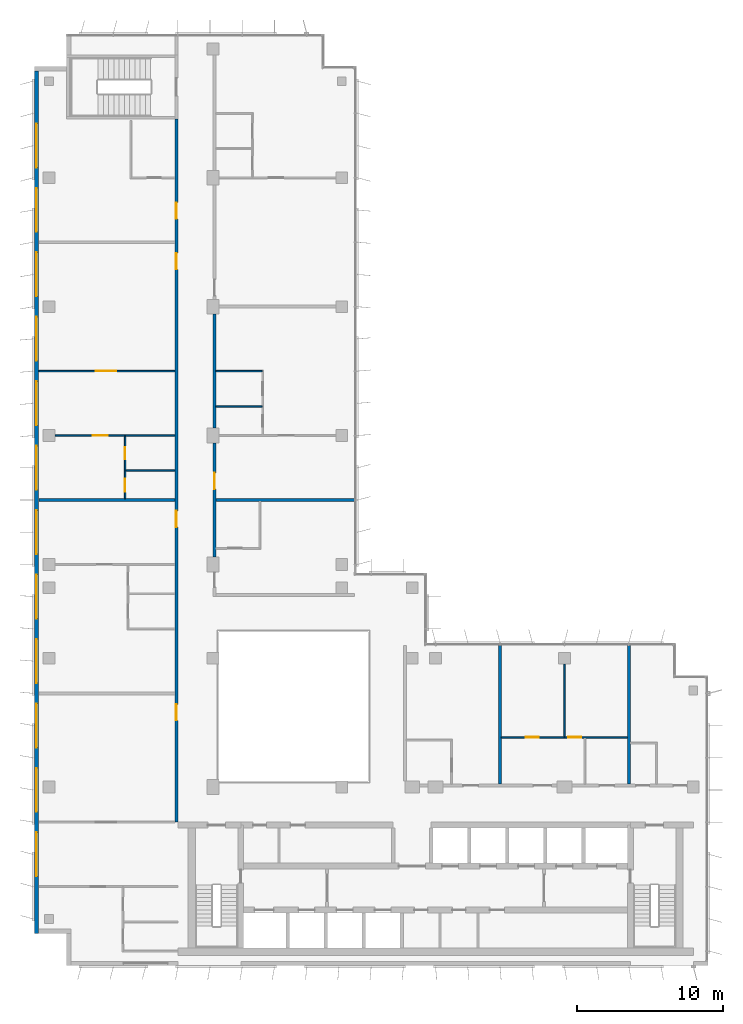
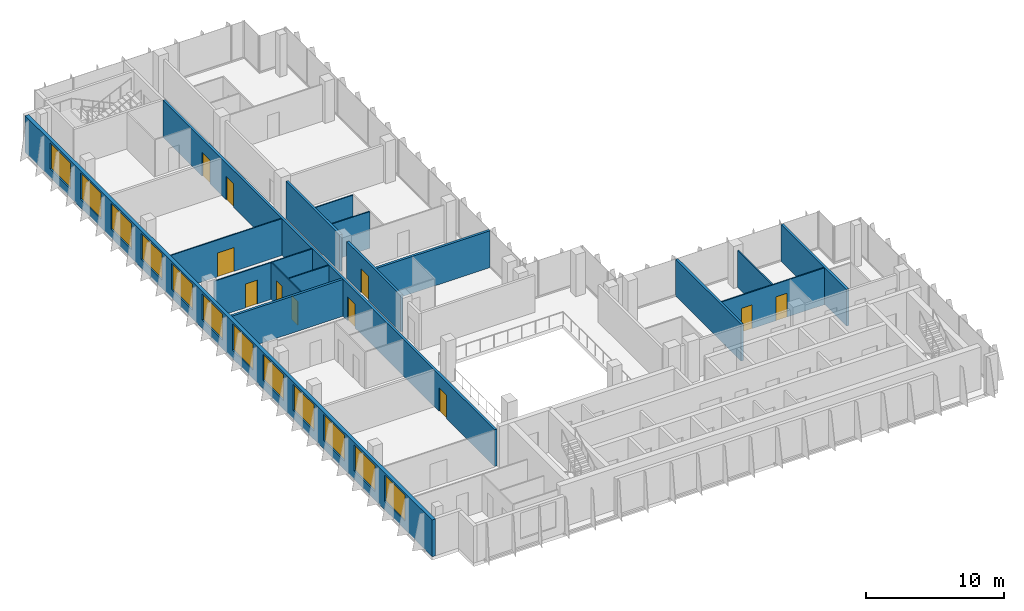
# One storey, part 11 of 15: 16 walls, 12 windows, 11 doors, 23 openings.
"""IFC4 building model written with IfcOpenShell, lengths in metres."""

from ifc_helpers import new_model, si_unit, direction, frame, frame_2d, origin, place, context, subcontext, project, spatial, rectangle, extrude, material, layer, layer_set, type_object, element, fill, save


model = new_model("IFC4")

# Units and contexts
model_context = context("Model", 3, precision=1e-05, world=origin(), true_north=direction((0.0, 1.0)))
body_context = subcontext(model_context, "Body", "Model", "MODEL_VIEW")
ifc_project = project(units=[si_unit("LENGTHUNIT", "METRE"), si_unit("AREAUNIT", "SQUARE_METRE"), si_unit("VOLUMEUNIT", "CUBIC_METRE"), si_unit("PLANEANGLEUNIT", "RADIAN"), si_unit("MASSUNIT", "GRAM", prefix="KILO")], contexts=[model_context])

# Site, building, storey
site_placement = place(None, origin())
site = spatial("IfcSite", under=ifc_project, at=site_placement, CompositionType="ELEMENT")
building_placement = place(site_placement, origin())
building = spatial("IfcBuilding", under=site, at=building_placement, Name="Kemantara Hotel Tower", CompositionType="ELEMENT")
storey_placement = place(building_placement, frame((0.0, 0.0, 305.5)))
storey = spatial("IfcBuildingStorey", under=building, at=storey_placement, Name="L77", CompositionType="ELEMENT", Elevation=305.5)

# Wall, openings, windows
ifc_material_1 = material(Name="Bronze anodised aluminium cladding on insulated steel stud wall", Category="steel")
ifc_layer_1 = layer(ifc_material_1, 0.300048828125)
ifc_layer_set_1 = layer_set([ifc_layer_1], Name="Bronze anodised aluminium cladding on insulated steel stud wall")
wall_type_1 = type_object("IfcWallType", Name="BRONZE METAL-CLAD EXTERNAL WALL 300", PredefinedType="STANDARD", material=ifc_layer_set_1)
wall_1_placement = place(storey_placement, frame((0.14990234375, 61.10009765625, 0.0), z_axis=(0.0, 0.0, 1.0), x_axis=(0.0, -1.0, 0.0)))
wall_1 = element("IfcWall", 1, at=wall_1_placement, inside=storey, type_object=wall_type_1, Name="EXTERNAL WALL L77 T4-R05", PredefinedType="STANDARD", context=body_context, shape_type="SweptSolid", body=[
    extrude(rectangle(XDim=58.900146484375, YDim=0.300048828125, at=frame_2d((29.4501953125, 0.0))), origin(), (0.0, 0.0, 1.0), 3.25),
])
opening_1_placement = place(wall_1_placement, frame((3.60009765625, 0.0, 0.75)))
opening_1 = element("IfcOpeningElement", 2, at=opening_1_placement, cuts=wall_1, Name="Opening W1", PredefinedType="OPENING", context=body_context, shape_type="SweptSolid", body=[
    extrude(rectangle(XDim=3.0, YDim=2.300048828125, at=frame_2d((1.5, 1.14990234375))), frame((0.0, 0.159912109375, 0.0), z_axis=(0.0, -1.0, 0.0), x_axis=(1.0, 0.0, 0.0)), (0.0, 0.0, 1.0), 0.320068359375),
])
opening_2_placement = place(wall_1_placement, frame((8.0, 0.0, 0.75)))
opening_2 = element("IfcOpeningElement", 3, at=opening_2_placement, cuts=wall_1, Name="Opening W1", PredefinedType="OPENING", context=body_context, shape_type="SweptSolid", body=[
    extrude(rectangle(XDim=3.0, YDim=2.300048828125, at=frame_2d((1.5, 1.14990234375))), frame((0.0, 0.159912109375, 0.0), z_axis=(0.0, -1.0, 0.0), x_axis=(1.0, 0.0, 0.0)), (0.0, 0.0, 1.0), 0.320068359375),
])
opening_3_placement = place(wall_1_placement, frame((12.39990234375, 0.0, 0.75)))
opening_3 = element("IfcOpeningElement", 4, at=opening_3_placement, cuts=wall_1, Name="Opening W1", PredefinedType="OPENING", context=body_context, shape_type="SweptSolid", body=[
    extrude(rectangle(XDim=3.0, YDim=2.300048828125, at=frame_2d((1.5, 1.14990234375))), frame((0.0, 0.159912109375, 0.0), z_axis=(0.0, -1.0, 0.0), x_axis=(1.0, 0.0, 0.0)), (0.0, 0.0, 1.0), 0.320068359375),
])
opening_4_placement = place(wall_1_placement, frame((16.800048828125, 0.0, 0.75)))
opening_4 = element("IfcOpeningElement", 5, at=opening_4_placement, cuts=wall_1, Name="Opening W1", PredefinedType="OPENING", context=body_context, shape_type="SweptSolid", body=[
    extrude(rectangle(XDim=3.0, YDim=2.300048828125, at=frame_2d((1.5, 1.14990234375))), frame((0.0, 0.159912109375, 0.0), z_axis=(0.0, -1.0, 0.0), x_axis=(1.0, 0.0, 0.0)), (0.0, 0.0, 1.0), 0.320068359375),
])
opening_5_placement = place(wall_1_placement, frame((21.199951171875, 0.0, 0.75)))
opening_5 = element("IfcOpeningElement", 6, at=opening_5_placement, cuts=wall_1, Name="Opening W1", PredefinedType="OPENING", context=body_context, shape_type="SweptSolid", body=[
    extrude(rectangle(XDim=3.0, YDim=2.300048828125, at=frame_2d((1.5, 1.14990234375))), frame((0.0, 0.159912109375, 0.0), z_axis=(0.0, -1.0, 0.0), x_axis=(1.0, 0.0, 0.0)), (0.0, 0.0, 1.0), 0.320068359375),
])
opening_6_placement = place(wall_1_placement, frame((25.60009765625, 0.0, 0.75)))
opening_6 = element("IfcOpeningElement", 7, at=opening_6_placement, cuts=wall_1, Name="Opening W1", PredefinedType="OPENING", context=body_context, shape_type="SweptSolid", body=[
    extrude(rectangle(XDim=3.0, YDim=2.300048828125, at=frame_2d((1.5, 1.14990234375))), frame((0.0, 0.159912109375, 0.0), z_axis=(0.0, -1.0, 0.0), x_axis=(1.0, 0.0, 0.0)), (0.0, 0.0, 1.0), 0.320068359375),
])
opening_7_placement = place(wall_1_placement, frame((30.0, 0.0, 0.75)))
opening_7 = element("IfcOpeningElement", 8, at=opening_7_placement, cuts=wall_1, Name="Opening W1", PredefinedType="OPENING", context=body_context, shape_type="SweptSolid", body=[
    extrude(rectangle(XDim=3.0, YDim=2.300048828125, at=frame_2d((1.5, 1.14990234375))), frame((0.0, 0.159912109375, 0.0), z_axis=(0.0, -1.0, 0.0), x_axis=(1.0, 0.0, 0.0)), (0.0, 0.0, 1.0), 0.320068359375),
])
opening_8_placement = place(wall_1_placement, frame((34.39990234375, 0.0, 0.75)))
opening_8 = element("IfcOpeningElement", 9, at=opening_8_placement, cuts=wall_1, Name="Opening W1", PredefinedType="OPENING", context=body_context, shape_type="SweptSolid", body=[
    extrude(rectangle(XDim=3.0, YDim=2.300048828125, at=frame_2d((1.5, 1.14990234375))), frame((0.0, 0.159912109375, 0.0), z_axis=(0.0, -1.0, 0.0), x_axis=(1.0, 0.0, 0.0)), (0.0, 0.0, 1.0), 0.320068359375),
])
opening_9_placement = place(wall_1_placement, frame((38.800048828125, 0.0, 0.75)))
opening_9 = element("IfcOpeningElement", 10, at=opening_9_placement, cuts=wall_1, Name="Opening W1", PredefinedType="OPENING", context=body_context, shape_type="SweptSolid", body=[
    extrude(rectangle(XDim=3.0, YDim=2.300048828125, at=frame_2d((1.5, 1.14990234375))), frame((0.0, 0.159912109375, 0.0), z_axis=(0.0, -1.0, 0.0), x_axis=(1.0, 0.0, 0.0)), (0.0, 0.0, 1.0), 0.320068359375),
])
opening_10_placement = place(wall_1_placement, frame((43.199951171875, 0.0, 0.75)))
opening_10 = element("IfcOpeningElement", 11, at=opening_10_placement, cuts=wall_1, Name="Opening W1", PredefinedType="OPENING", context=body_context, shape_type="SweptSolid", body=[
    extrude(rectangle(XDim=3.0, YDim=2.300048828125, at=frame_2d((1.5, 1.14990234375))), frame((0.0, 0.159912109375, 0.0), z_axis=(0.0, -1.0, 0.0), x_axis=(1.0, 0.0, 0.0)), (0.0, 0.0, 1.0), 0.320068359375),
])
opening_11_placement = place(wall_1_placement, frame((47.60009765625, 0.0, 0.75)))
opening_11 = element("IfcOpeningElement", 12, at=opening_11_placement, cuts=wall_1, Name="Opening W1", PredefinedType="OPENING", context=body_context, shape_type="SweptSolid", body=[
    extrude(rectangle(XDim=3.0, YDim=2.300048828125, at=frame_2d((1.5, 1.14990234375))), frame((0.0, 0.159912109375, 0.0), z_axis=(0.0, -1.0, 0.0), x_axis=(1.0, 0.0, 0.0)), (0.0, 0.0, 1.0), 0.320068359375),
])
opening_12_placement = place(wall_1_placement, frame((52.0, 0.0, 0.75)))
opening_12 = element("IfcOpeningElement", 13, at=opening_12_placement, cuts=wall_1, Name="Opening W1", PredefinedType="OPENING", context=body_context, shape_type="SweptSolid", body=[
    extrude(rectangle(XDim=3.0, YDim=2.300048828125, at=frame_2d((1.5, 1.14990234375))), frame((0.0, 0.159912109375, 0.0), z_axis=(0.0, -1.0, 0.0), x_axis=(1.0, 0.0, 0.0)), (0.0, 0.0, 1.0), 0.320068359375),
])
ifc_material_2 = material(Name="Low-E tinted double insulated glass in bronze anodised aluminium frame", Category="aluminium")
window_type = type_object("IfcWindowType", Name="CHICAGO WINDOW, TRIPLE PANEL 3000x2300", PartitioningType="TRIPLE_PANEL_VERTICAL", PredefinedType="WINDOW", material=ifc_material_2)
window_1_placement = place(opening_1_placement, origin())
window_1 = element("IfcWindow", 14, at=window_1_placement, inside=storey, type_object=window_type, Name="CHICAGO WINDOW L77 T4-R05-54", OverallHeight=2.300048828125, OverallWidth=3.0, PartitioningType="SINGLE_PANEL", PredefinedType="WINDOW", context=body_context, shape_type="SweptSolid", body=[
    extrude(rectangle(XDim=3.0, YDim=2.300048828125, at=frame_2d((1.5, 1.14990234375))), frame((0.0, 0.030029296875, 0.0), z_axis=(0.0, -1.0, 0.0), x_axis=(1.0, 0.0, 0.0)), (0.0, 0.0, 1.0), 0.06005859375),
])
fill(opening_1, window_1)
window_2_placement = place(opening_2_placement, origin())
window_2 = element("IfcWindow", 15, at=window_2_placement, inside=storey, type_object=window_type, Name="CHICAGO WINDOW L77 T4-R05-98", OverallHeight=2.300048828125, OverallWidth=3.0, PartitioningType="SINGLE_PANEL", PredefinedType="WINDOW", context=body_context, shape_type="SweptSolid", body=[
    extrude(rectangle(XDim=3.0, YDim=2.300048828125, at=frame_2d((1.5, 1.14990234375))), frame((0.0, 0.030029296875, 0.0), z_axis=(0.0, -1.0, 0.0), x_axis=(1.0, 0.0, 0.0)), (0.0, 0.0, 1.0), 0.06005859375),
])
fill(opening_2, window_2)
window_3_placement = place(opening_3_placement, origin())
window_3 = element("IfcWindow", 16, at=window_3_placement, inside=storey, type_object=window_type, Name="CHICAGO WINDOW L77 T4-R05-142", OverallHeight=2.300048828125, OverallWidth=3.0, PartitioningType="SINGLE_PANEL", PredefinedType="WINDOW", context=body_context, shape_type="SweptSolid", body=[
    extrude(rectangle(XDim=3.0, YDim=2.300048828125, at=frame_2d((1.5, 1.14990234375))), frame((0.0, 0.030029296875, 0.0), z_axis=(0.0, -1.0, 0.0), x_axis=(1.0, 0.0, 0.0)), (0.0, 0.0, 1.0), 0.06005859375),
])
fill(opening_3, window_3)
window_4_placement = place(opening_4_placement, origin())
window_4 = element("IfcWindow", 17, at=window_4_placement, inside=storey, type_object=window_type, Name="CHICAGO WINDOW L77 T4-R05-186", OverallHeight=2.300048828125, OverallWidth=3.0, PartitioningType="SINGLE_PANEL", PredefinedType="WINDOW", context=body_context, shape_type="SweptSolid", body=[
    extrude(rectangle(XDim=3.0, YDim=2.300048828125, at=frame_2d((1.5, 1.14990234375))), frame((0.0, 0.030029296875, 0.0), z_axis=(0.0, -1.0, 0.0), x_axis=(1.0, 0.0, 0.0)), (0.0, 0.0, 1.0), 0.06005859375),
])
fill(opening_4, window_4)
window_5_placement = place(opening_5_placement, origin())
window_5 = element("IfcWindow", 18, at=window_5_placement, inside=storey, type_object=window_type, Name="CHICAGO WINDOW L77 T4-R05-230", OverallHeight=2.300048828125, OverallWidth=3.0, PartitioningType="SINGLE_PANEL", PredefinedType="WINDOW", context=body_context, shape_type="SweptSolid", body=[
    extrude(rectangle(XDim=3.0, YDim=2.300048828125, at=frame_2d((1.5, 1.14990234375))), frame((0.0, 0.030029296875, 0.0), z_axis=(0.0, -1.0, 0.0), x_axis=(1.0, 0.0, 0.0)), (0.0, 0.0, 1.0), 0.06005859375),
])
fill(opening_5, window_5)
window_6_placement = place(opening_6_placement, origin())
window_6 = element("IfcWindow", 19, at=window_6_placement, inside=storey, type_object=window_type, Name="CHICAGO WINDOW L77 T4-R05-274", OverallHeight=2.300048828125, OverallWidth=3.0, PartitioningType="SINGLE_PANEL", PredefinedType="WINDOW", context=body_context, shape_type="SweptSolid", body=[
    extrude(rectangle(XDim=3.0, YDim=2.300048828125, at=frame_2d((1.5, 1.14990234375))), frame((0.0, 0.030029296875, 0.0), z_axis=(0.0, -1.0, 0.0), x_axis=(1.0, 0.0, 0.0)), (0.0, 0.0, 1.0), 0.06005859375),
])
fill(opening_6, window_6)
window_7_placement = place(opening_7_placement, origin())
window_7 = element("IfcWindow", 20, at=window_7_placement, inside=storey, type_object=window_type, Name="CHICAGO WINDOW L77 T4-R05-318", OverallHeight=2.300048828125, OverallWidth=3.0, PartitioningType="SINGLE_PANEL", PredefinedType="WINDOW", context=body_context, shape_type="SweptSolid", body=[
    extrude(rectangle(XDim=3.0, YDim=2.300048828125, at=frame_2d((1.5, 1.14990234375))), frame((0.0, 0.030029296875, 0.0), z_axis=(0.0, -1.0, 0.0), x_axis=(1.0, 0.0, 0.0)), (0.0, 0.0, 1.0), 0.06005859375),
])
fill(opening_7, window_7)
window_8_placement = place(opening_8_placement, origin())
window_8 = element("IfcWindow", 21, at=window_8_placement, inside=storey, type_object=window_type, Name="CHICAGO WINDOW L77 T4-R05-362", OverallHeight=2.300048828125, OverallWidth=3.0, PartitioningType="SINGLE_PANEL", PredefinedType="WINDOW", context=body_context, shape_type="SweptSolid", body=[
    extrude(rectangle(XDim=3.0, YDim=2.300048828125, at=frame_2d((1.5, 1.14990234375))), frame((0.0, 0.030029296875, 0.0), z_axis=(0.0, -1.0, 0.0), x_axis=(1.0, 0.0, 0.0)), (0.0, 0.0, 1.0), 0.06005859375),
])
fill(opening_8, window_8)
window_9_placement = place(opening_9_placement, origin())
window_9 = element("IfcWindow", 22, at=window_9_placement, inside=storey, type_object=window_type, Name="CHICAGO WINDOW L77 T4-R05-406", OverallHeight=2.300048828125, OverallWidth=3.0, PartitioningType="SINGLE_PANEL", PredefinedType="WINDOW", context=body_context, shape_type="SweptSolid", body=[
    extrude(rectangle(XDim=3.0, YDim=2.300048828125, at=frame_2d((1.5, 1.14990234375))), frame((0.0, 0.030029296875, 0.0), z_axis=(0.0, -1.0, 0.0), x_axis=(1.0, 0.0, 0.0)), (0.0, 0.0, 1.0), 0.06005859375),
])
fill(opening_9, window_9)
window_10_placement = place(opening_10_placement, origin())
window_10 = element("IfcWindow", 23, at=window_10_placement, inside=storey, type_object=window_type, Name="CHICAGO WINDOW L77 T4-R05-450", OverallHeight=2.300048828125, OverallWidth=3.0, PartitioningType="SINGLE_PANEL", PredefinedType="WINDOW", context=body_context, shape_type="SweptSolid", body=[
    extrude(rectangle(XDim=3.0, YDim=2.300048828125, at=frame_2d((1.5, 1.14990234375))), frame((0.0, 0.030029296875, 0.0), z_axis=(0.0, -1.0, 0.0), x_axis=(1.0, 0.0, 0.0)), (0.0, 0.0, 1.0), 0.06005859375),
])
fill(opening_10, window_10)
window_11_placement = place(opening_11_placement, origin())
window_11 = element("IfcWindow", 24, at=window_11_placement, inside=storey, type_object=window_type, Name="CHICAGO WINDOW L77 T4-R05-494", OverallHeight=2.300048828125, OverallWidth=3.0, PartitioningType="SINGLE_PANEL", PredefinedType="WINDOW", context=body_context, shape_type="SweptSolid", body=[
    extrude(rectangle(XDim=3.0, YDim=2.300048828125, at=frame_2d((1.5, 1.14990234375))), frame((0.0, 0.030029296875, 0.0), z_axis=(0.0, -1.0, 0.0), x_axis=(1.0, 0.0, 0.0)), (0.0, 0.0, 1.0), 0.06005859375),
])
fill(opening_11, window_11)
window_12_placement = place(opening_12_placement, origin())
window_12 = element("IfcWindow", 25, at=window_12_placement, inside=storey, type_object=window_type, Name="CHICAGO WINDOW L77 T4-R05-538", OverallHeight=2.300048828125, OverallWidth=3.0, PartitioningType="SINGLE_PANEL", PredefinedType="WINDOW", context=body_context, shape_type="SweptSolid", body=[
    extrude(rectangle(XDim=3.0, YDim=2.300048828125, at=frame_2d((1.5, 1.14990234375))), frame((0.0, 0.030029296875, 0.0), z_axis=(0.0, -1.0, 0.0), x_axis=(1.0, 0.0, 0.0)), (0.0, 0.0, 1.0), 0.06005859375),
])
fill(opening_12, window_12)

# Wall, openings, doors
ifc_material_3 = material(Name="Gypsum board partition, steel studs and mineral wool, 200 mm", Category="steel")
ifc_layer_2 = layer(ifc_material_3, 0.199951171875)
ifc_layer_set_2 = layer_set([ifc_layer_2], Name="Gypsum board partition, steel studs and mineral wool, 200 mm")
wall_type_2 = type_object("IfcWallType", Name="CORRIDOR WALL 200", PredefinedType="PARTITIONING", material=ifc_layer_set_2)
wall_2_placement = place(storey_placement, frame((9.699951171875, 9.800048828125, 0.0), z_axis=(0.0, 0.0, 1.0), x_axis=(0.0, 1.0, 0.0)))
wall_2 = element("IfcWall", 26, at=wall_2_placement, inside=storey, type_object=wall_type_2, Name="CORRIDOR WALL 200 007", PredefinedType="PARTITIONING", context=body_context, shape_type="SweptSolid", body=[
    extrude(rectangle(XDim=48.0, YDim=0.199951171875, at=frame_2d((24.0, 0.0))), origin(), (0.0, 0.0, 1.0), 3.25),
])
opening_13_placement = place(wall_2_placement, frame((6.949951171875, 0.0, 0.0)))
opening_13 = element("IfcOpeningElement", 27, at=opening_13_placement, cuts=wall_2, Name="Opening F38-009", PredefinedType="OPENING", context=body_context, shape_type="SweptSolid", body=[
    extrude(rectangle(XDim=1.10009765625, YDim=2.10009765625, at=frame_2d((0.550048828125, 1.050048828125))), frame((0.0, 0.10986328125, 0.0), z_axis=(0.0, -1.0, 0.0), x_axis=(1.0, 0.0, 0.0)), (0.0, 0.0, 1.0), 0.219970703125),
])
opening_14_placement = place(wall_2_placement, frame((20.14990234375, 0.0, 0.0)))
opening_14 = element("IfcOpeningElement", 28, at=opening_14_placement, cuts=wall_2, Name="Opening F38-014", PredefinedType="OPENING", context=body_context, shape_type="SweptSolid", body=[
    extrude(rectangle(XDim=1.10009765625, YDim=2.10009765625, at=frame_2d((0.550048828125, 1.050048828125))), frame((0.0, 0.10986328125, 0.0), z_axis=(0.0, -1.0, 0.0), x_axis=(1.0, 0.0, 0.0)), (0.0, 0.0, 1.0), 0.219970703125),
])
opening_15_placement = place(wall_2_placement, frame((37.75, 0.0, 0.0)))
opening_15 = element("IfcOpeningElement", 29, at=opening_15_placement, cuts=wall_2, Name="Opening F38-018", PredefinedType="OPENING", context=body_context, shape_type="SweptSolid", body=[
    extrude(rectangle(XDim=1.10009765625, YDim=2.10009765625, at=frame_2d((0.550048828125, 1.050048828125))), frame((0.0, 0.10986328125, 0.0), z_axis=(0.0, -1.0, 0.0), x_axis=(1.0, 0.0, 0.0)), (0.0, 0.0, 1.0), 0.219970703125),
])
opening_16_placement = place(wall_2_placement, frame((41.199951171875, 0.0, 0.0)))
opening_16 = element("IfcOpeningElement", 30, at=opening_16_placement, cuts=wall_2, Name="Opening F38-023", PredefinedType="OPENING", context=body_context, shape_type="SweptSolid", body=[
    extrude(rectangle(XDim=1.10009765625, YDim=2.10009765625, at=frame_2d((0.550048828125, 1.050048828125))), frame((0.0, 0.10986328125, 0.0), z_axis=(0.0, -1.0, 0.0), x_axis=(1.0, 0.0, 0.0)), (0.0, 0.0, 1.0), 0.219970703125),
])
ifc_material_4 = material(Name="Hardwood veneer door leaf with steel frame", Category="steel")
door_type_1 = type_object("IfcDoorType", Name="SUITE ENTRANCE DOOR 1100 X 2100 FD30S", OperationType="NOTDEFINED", PredefinedType="DOOR", material=ifc_material_4)
door_1_placement = place(opening_13_placement, origin())
door_1 = element("IfcDoor", 31, at=door_1_placement, inside=storey, type_object=door_type_1, Name="SUITE ENTRANCE DOOR F38-009", OperationType="SINGLE_SWING_RIGHT", OverallHeight=2.10009765625, OverallWidth=1.10009765625, PredefinedType="DOOR", context=body_context, shape_type="SweptSolid", body=[
    extrude(rectangle(XDim=1.10009765625, YDim=2.10009765625, at=frame_2d((0.550048828125, 1.050048828125))), frame((0.0, 0.02490234375, 0.0), z_axis=(0.0, -1.0, 0.0), x_axis=(1.0, 0.0, 0.0)), (0.0, 0.0, 1.0), 0.050048828125),
])
fill(opening_13, door_1)
door_2_placement = place(opening_14_placement, origin())
door_2 = element("IfcDoor", 32, at=door_2_placement, inside=storey, type_object=door_type_1, Name="SUITE ENTRANCE DOOR F38-014", OperationType="SINGLE_SWING_RIGHT", OverallHeight=2.10009765625, OverallWidth=1.10009765625, PredefinedType="DOOR", context=body_context, shape_type="SweptSolid", body=[
    extrude(rectangle(XDim=1.10009765625, YDim=2.10009765625, at=frame_2d((0.550048828125, 1.050048828125))), frame((0.0, 0.02490234375, 0.0), z_axis=(0.0, -1.0, 0.0), x_axis=(1.0, 0.0, 0.0)), (0.0, 0.0, 1.0), 0.050048828125),
])
fill(opening_14, door_2)
door_3_placement = place(opening_15_placement, origin())
door_3 = element("IfcDoor", 33, at=door_3_placement, inside=storey, type_object=door_type_1, Name="SUITE ENTRANCE DOOR F38-018", OperationType="SINGLE_SWING_RIGHT", OverallHeight=2.10009765625, OverallWidth=1.10009765625, PredefinedType="DOOR", context=body_context, shape_type="SweptSolid", body=[
    extrude(rectangle(XDim=1.10009765625, YDim=2.10009765625, at=frame_2d((0.550048828125, 1.050048828125))), frame((0.0, 0.02490234375, 0.0), z_axis=(0.0, -1.0, 0.0), x_axis=(1.0, 0.0, 0.0)), (0.0, 0.0, 1.0), 0.050048828125),
])
fill(opening_15, door_3)
door_4_placement = place(opening_16_placement, origin())
door_4 = element("IfcDoor", 34, at=door_4_placement, inside=storey, type_object=door_type_1, Name="SUITE ENTRANCE DOOR F38-023", OperationType="SINGLE_SWING_LEFT", OverallHeight=2.10009765625, OverallWidth=1.10009765625, PredefinedType="DOOR", context=body_context, shape_type="SweptSolid", body=[
    extrude(rectangle(XDim=1.10009765625, YDim=2.10009765625, at=frame_2d((0.550048828125, 1.050048828125))), frame((0.0, 0.02490234375, 0.0), z_axis=(0.0, -1.0, 0.0), x_axis=(1.0, 0.0, 0.0)), (0.0, 0.0, 1.0), 0.050048828125),
])
fill(opening_16, door_4)

# Wall, opening, door
wall_3_placement = place(storey_placement, frame((12.300048828125, 35.699951171875, 0.0), z_axis=(0.0, 0.0, 1.0), x_axis=(0.0, -1.0, 0.0)))
wall_3 = element("IfcWall", 35, at=wall_3_placement, inside=storey, type_object=wall_type_2, Name="CORRIDOR WALL 200 014", PredefinedType="PARTITIONING", context=body_context, shape_type="SweptSolid", body=[
    extrude(rectangle(XDim=7.7998046875, YDim=0.199951171875, at=frame_2d((3.89990234375, 0.0))), origin(), (0.0, 0.0, 1.0), 3.25),
])
opening_17_placement = place(wall_3_placement, frame((2.0498046875, 0.0, 0.0)))
opening_17 = element("IfcOpeningElement", 36, at=opening_17_placement, cuts=wall_3, Name="Opening F38-027", PredefinedType="OPENING", context=body_context, shape_type="SweptSolid", body=[
    extrude(rectangle(XDim=1.10009765625, YDim=2.10009765625, at=frame_2d((0.550048828125, 1.050048828125))), frame((0.0, 0.10986328125, 0.0), z_axis=(0.0, -1.0, 0.0), x_axis=(1.0, 0.0, 0.0)), (0.0, 0.0, 1.0), 0.219970703125),
])
door_5_placement = place(opening_17_placement, origin())
door_5 = element("IfcDoor", 37, at=door_5_placement, inside=storey, type_object=door_type_1, Name="SUITE ENTRANCE DOOR F38-027", OperationType="SINGLE_SWING_RIGHT", OverallHeight=2.10009765625, OverallWidth=1.10009765625, PredefinedType="DOOR", context=body_context, shape_type="SweptSolid", body=[
    extrude(rectangle(XDim=1.10009765625, YDim=2.10009765625, at=frame_2d((0.550048828125, 1.050048828125))), frame((0.0, 0.02490234375, 0.0), z_axis=(0.0, -1.0, 0.0), x_axis=(1.0, 0.0, 0.0)), (0.0, 0.0, 1.0), 0.050048828125),
])
fill(opening_17, door_5)

# Walls
wall_4_placement = place(storey_placement, frame((12.300048828125, 36.7001953125, 0.0), z_axis=(0.0, 0.0, 1.0), x_axis=(0.0, 1.0, 0.0)))
element("IfcWall", 38, at=wall_4_placement, inside=storey, type_object=wall_type_2, Name="CORRIDOR WALL 200 015", PredefinedType="PARTITIONING", context=body_context, shape_type="SweptSolid", body=[
    extrude(rectangle(XDim=7.7998046875, YDim=0.199951171875, at=frame_2d((3.89990234375, 0.0))), origin(), (0.0, 0.0, 1.0), 3.25),
])
ifc_layer_3 = layer(ifc_material_3, 0.199951171875)
ifc_layer_set_3 = layer_set([ifc_layer_3], Name="Gypsum board partition, steel studs and mineral wool, 200 mm")
wall_type_3 = type_object("IfcWallType", Name="GUEST ROOM PARTY WALL 200", PredefinedType="PARTITIONING", material=ifc_layer_set_3)
for number, where, z_axis, x_axis, name in (
    (39, (31.800048828125, 12.39990234375, 0.0), (0.0, 0.0, 1.0), (0.0, 1.0, 0.0), "GUEST ROOM PARTY WALL 200 005"),
    (40, (40.60009765625, 12.39990234375, 0.0), (0.0, 0.0, 1.0), (0.0, 1.0, 0.0), "GUEST ROOM PARTY WALL 200 006"),
):
    element("IfcWall", number, at=place(storey_placement, frame(where, z_axis=z_axis, x_axis=x_axis)), inside=storey, type_object=wall_type_3, Name=name, PredefinedType="PARTITIONING", context=body_context, shape_type="SweptSolid", body=[
        extrude(rectangle(XDim=9.47021484375, YDim=0.199951171875, at=frame_2d((4.735107421875, 0.0))), origin(), (0.0, 0.0, 1.0), 3.25),
    ])
wall_5_placement = place(storey_placement, frame((0.31005859375, 31.800048828125, 0.0), z_axis=(0.0, 0.0, 1.0), x_axis=(1.0, 0.0, 0.0)))
element("IfcWall", 41, at=wall_5_placement, inside=storey, type_object=wall_type_3, Name="GUEST ROOM PARTY WALL 200 010", PredefinedType="PARTITIONING", context=body_context, shape_type="SweptSolid", body=[
    extrude(rectangle(XDim=9.2900390625, YDim=0.199951171875, at=frame_2d((4.64501953125, 0.0))), origin(), (0.0, 0.0, 1.0), 3.25),
])
wall_6_placement = place(storey_placement, frame((12.39990234375, 31.800048828125, 0.0), z_axis=(0.0, 0.0, 1.0), x_axis=(1.0, 0.0, 0.0)))
element("IfcWall", 42, at=wall_6_placement, inside=storey, type_object=wall_type_3, Name="GUEST ROOM PARTY WALL 200 011", PredefinedType="PARTITIONING", context=body_context, shape_type="SweptSolid", body=[
    extrude(rectangle(XDim=9.47021484375, YDim=0.199951171875, at=frame_2d((4.735107421875, 0.0))), origin(), (0.0, 0.0, 1.0), 3.25),
])

# Wall, openings, doors
ifc_material_5 = material(Name="Gypsum board partition on steel studs, 100 mm", Category="steel")
ifc_layer_4 = layer(ifc_material_5, 0.10009765625)
ifc_layer_set_4 = layer_set([ifc_layer_4], Name="Gypsum board partition on steel studs, 100 mm")
wall_type_4 = type_object("IfcWallType", Name="ROOM PARTITION 100", PredefinedType="PARTITIONING", material=ifc_layer_set_4)
wall_7_placement = place(storey_placement, frame((31.89990234375, 15.60009765625, 0.0), z_axis=(0.0, 0.0, 1.0), x_axis=(1.0, 0.0, 0.0)))
wall_7 = element("IfcWall", 43, at=wall_7_placement, inside=storey, type_object=wall_type_4, Name="ROOM PARTITION 100 022", PredefinedType="PARTITIONING", context=body_context, shape_type="SweptSolid", body=[
    extrude(rectangle(XDim=8.60009765625, YDim=0.10009765625, at=frame_2d((4.300048828125, 0.0))), origin(), (0.0, 0.0, 1.0), 3.25),
])
opening_18_placement = place(wall_7_placement, frame((4.550048828125, 0.0, 0.0)))
opening_18 = element("IfcOpeningElement", 44, at=opening_18_placement, cuts=wall_7, Name="Opening F38-005", PredefinedType="OPENING", context=body_context, shape_type="SweptSolid", body=[
    extrude(rectangle(XDim=0.89990234375, YDim=2.10009765625, at=frame_2d((0.449951171875, 1.050048828125))), frame((0.0, 0.06005859375, 0.0), z_axis=(0.0, -1.0, 0.0), x_axis=(1.0, 0.0, 0.0)), (0.0, 0.0, 1.0), 0.1201171875),
])
opening_19_placement = place(wall_7_placement, frame((1.64990234375, 0.0, 0.0)))
opening_19 = element("IfcOpeningElement", 45, at=opening_19_placement, cuts=wall_7, Name="Opening F38-006", PredefinedType="OPENING", context=body_context, shape_type="SweptSolid", body=[
    extrude(rectangle(XDim=0.89990234375, YDim=2.10009765625, at=frame_2d((0.449951171875, 1.050048828125))), frame((0.0, 0.06005859375, 0.0), z_axis=(0.0, -1.0, 0.0), x_axis=(1.0, 0.0, 0.0)), (0.0, 0.0, 1.0), 0.1201171875),
])
door_type_2 = type_object("IfcDoorType", Name="INTERNAL DOOR 900 X 2100", OperationType="NOTDEFINED", PredefinedType="DOOR", material=ifc_material_4)
door_6_placement = place(opening_18_placement, origin())
door_6 = element("IfcDoor", 46, at=door_6_placement, inside=storey, type_object=door_type_2, Name="INTERNAL DOOR F38-005", OperationType="SINGLE_SWING_LEFT", OverallHeight=2.10009765625, OverallWidth=0.89990234375, PredefinedType="DOOR", context=body_context, shape_type="SweptSolid", body=[
    extrude(rectangle(XDim=0.89990234375, YDim=2.10009765625, at=frame_2d((0.449951171875, 1.050048828125))), frame((0.0, 0.02490234375, 0.0), z_axis=(0.0, -1.0, 0.0), x_axis=(1.0, 0.0, 0.0)), (0.0, 0.0, 1.0), 0.050048828125),
])
fill(opening_18, door_6)
door_7_placement = place(opening_19_placement, origin())
door_7 = element("IfcDoor", 47, at=door_7_placement, inside=storey, type_object=door_type_2, Name="INTERNAL DOOR F38-006", OperationType="SINGLE_SWING_LEFT", OverallHeight=2.10009765625, OverallWidth=0.89990234375, PredefinedType="DOOR", context=body_context, shape_type="SweptSolid", body=[
    extrude(rectangle(XDim=0.89990234375, YDim=2.10009765625, at=frame_2d((0.449951171875, 1.050048828125))), frame((0.0, 0.02490234375, 0.0), z_axis=(0.0, -1.0, 0.0), x_axis=(1.0, 0.0, 0.0)), (0.0, 0.0, 1.0), 0.050048828125),
])
fill(opening_19, door_7)

# Wall
wall_8_placement = place(storey_placement, frame((36.199951171875, 15.64990234375, 0.0), z_axis=(0.0, 0.0, 1.0), x_axis=(0.0, 1.0, 0.0)))
element("IfcWall", 48, at=wall_8_placement, inside=storey, type_object=wall_type_4, Name="ROOM PARTITION 100 024", PredefinedType="PARTITIONING", context=body_context, shape_type="SweptSolid", body=[
    extrude(rectangle(XDim=4.949951171875, YDim=0.10009765625, at=frame_2d((2.47509765625, 0.0))), origin(), (0.0, 0.0, 1.0), 3.25),
])

# Wall, openings, doors
wall_9_placement = place(storey_placement, frame((6.199951171875, 36.14990234375, 0.0), z_axis=(0.0, 0.0, 1.0), x_axis=(0.0, -1.0, 0.0)))
wall_9 = element("IfcWall", 49, at=wall_9_placement, inside=storey, type_object=wall_type_4, Name="ROOM PARTITION 100 036", PredefinedType="PARTITIONING", context=body_context, shape_type="SweptSolid", body=[
    extrude(rectangle(XDim=4.25, YDim=0.10009765625, at=frame_2d((2.125, 0.0))), origin(), (0.0, 0.0, 1.0), 3.25),
])
opening_20_placement = place(wall_9_placement, frame((2.89990234375, 0.0, 0.0)))
opening_20 = element("IfcOpeningElement", 50, at=opening_20_placement, cuts=wall_9, Name="Opening F38-021", PredefinedType="OPENING", context=body_context, shape_type="SweptSolid", body=[
    extrude(rectangle(XDim=0.89990234375, YDim=2.10009765625, at=frame_2d((0.449951171875, 1.050048828125))), frame((0.0, 0.06005859375, 0.0), z_axis=(0.0, -1.0, 0.0), x_axis=(1.0, 0.0, 0.0)), (0.0, 0.0, 1.0), 0.1201171875),
])
opening_21_placement = place(wall_9_placement, frame((0.75, 0.0, 0.0)))
opening_21 = element("IfcOpeningElement", 51, at=opening_21_placement, cuts=wall_9, Name="Opening F38-022", PredefinedType="OPENING", context=body_context, shape_type="SweptSolid", body=[
    extrude(rectangle(XDim=0.800048828125, YDim=2.10009765625, at=frame_2d((0.39990234375, 1.050048828125))), frame((0.0, 0.06005859375, 0.0), z_axis=(0.0, -1.0, 0.0), x_axis=(1.0, 0.0, 0.0)), (0.0, 0.0, 1.0), 0.1201171875),
])
door_type_3 = type_object("IfcDoorType", Name="BATHROOM DOOR 900 X 2100", OperationType="NOTDEFINED", PredefinedType="DOOR", material=ifc_material_4)
door_8_placement = place(opening_20_placement, origin())
door_8 = element("IfcDoor", 52, at=door_8_placement, inside=storey, type_object=door_type_3, Name="BATHROOM DOOR F38-021", OperationType="SINGLE_SWING_LEFT", OverallHeight=2.10009765625, OverallWidth=0.89990234375, PredefinedType="DOOR", context=body_context, shape_type="SweptSolid", body=[
    extrude(rectangle(XDim=0.89990234375, YDim=2.10009765625, at=frame_2d((0.449951171875, 1.050048828125))), frame((0.0, 0.02490234375, 0.0), z_axis=(0.0, -1.0, 0.0), x_axis=(1.0, 0.0, 0.0)), (0.0, 0.0, 1.0), 0.050048828125),
])
fill(opening_20, door_8)
door_type_4 = type_object("IfcDoorType", Name="WARDROBE DOOR 800 X 2100", OperationType="NOTDEFINED", PredefinedType="DOOR", material=ifc_material_4)
door_9_placement = place(opening_21_placement, origin())
door_9 = element("IfcDoor", 53, at=door_9_placement, inside=storey, type_object=door_type_4, Name="WARDROBE DOOR F38-022", OperationType="SINGLE_SWING_LEFT", OverallHeight=2.10009765625, OverallWidth=0.800048828125, PredefinedType="DOOR", context=body_context, shape_type="SweptSolid", body=[
    extrude(rectangle(XDim=0.800048828125, YDim=2.10009765625, at=frame_2d((0.39990234375, 1.050048828125))), frame((0.0, 0.02490234375, 0.0), z_axis=(0.0, -1.0, 0.0), x_axis=(1.0, 0.0, 0.0)), (0.0, 0.0, 1.0), 0.050048828125),
])
fill(opening_21, door_9)

# Wall, opening, door
wall_10_placement = place(storey_placement, frame((9.60009765625, 40.60009765625, 0.0), z_axis=(0.0, 0.0, 1.0), x_axis=(-1.0, 0.0, 0.0)))
wall_10 = element("IfcWall", 54, at=wall_10_placement, inside=storey, type_object=wall_type_4, Name="ROOM PARTITION 100 037", PredefinedType="PARTITIONING", context=body_context, shape_type="SweptSolid", body=[
    extrude(rectangle(XDim=9.2900390625, YDim=0.10009765625, at=frame_2d((4.64501953125, 0.0))), origin(), (0.0, 0.0, 1.0), 3.25),
])
opening_22_placement = place(wall_10_placement, frame((4.0, 0.0, 0.0)))
opening_22 = element("IfcOpeningElement", 55, at=opening_22_placement, cuts=wall_10, Name="Opening F38-019", PredefinedType="OPENING", context=body_context, shape_type="SweptSolid", body=[
    extrude(rectangle(XDim=1.39990234375, YDim=2.10009765625, at=frame_2d((0.699951171875, 1.050048828125))), frame((0.0, 0.06005859375, 0.0), z_axis=(0.0, -1.0, 0.0), x_axis=(1.0, 0.0, 0.0)), (0.0, 0.0, 1.0), 0.1201171875),
])
door_type_5 = type_object("IfcDoorType", Name="INTERNAL DOOR 1400 X 2100", OperationType="NOTDEFINED", PredefinedType="DOOR", material=ifc_material_4)
door_10_placement = place(opening_22_placement, origin())
door_10 = element("IfcDoor", 56, at=door_10_placement, inside=storey, type_object=door_type_5, Name="INTERNAL DOOR F38-019", OperationType="DOUBLE_DOOR_SINGLE_SWING", OverallHeight=2.10009765625, OverallWidth=1.39990234375, PredefinedType="DOOR", context=body_context, shape_type="SweptSolid", body=[
    extrude(rectangle(XDim=1.39990234375, YDim=2.10009765625, at=frame_2d((0.699951171875, 1.050048828125))), frame((0.0, 0.02490234375, 0.0), z_axis=(0.0, -1.0, 0.0), x_axis=(1.0, 0.0, 0.0)), (0.0, 0.0, 1.0), 0.050048828125),
])
fill(opening_22, door_10)

# Wall
wall_11_placement = place(storey_placement, frame((12.39990234375, 40.60009765625, 0.0), z_axis=(0.0, 0.0, 1.0), x_axis=(1.0, 0.0, 0.0)))
element("IfcWall", 57, at=wall_11_placement, inside=storey, type_object=wall_type_4, Name="ROOM PARTITION 100 038", PredefinedType="PARTITIONING", context=body_context, shape_type="SweptSolid", body=[
    extrude(rectangle(XDim=3.150146484375, YDim=0.10009765625, at=frame_2d((1.5751953125, 0.0))), origin(), (0.0, 0.0, 1.0), 3.25),
])

# Wall, opening, door
wall_12_placement = place(storey_placement, frame((9.60009765625, 36.199951171875, 0.0), z_axis=(0.0, 0.0, 1.0), x_axis=(-1.0, 0.0, 0.0)))
wall_12 = element("IfcWall", 58, at=wall_12_placement, inside=storey, type_object=wall_type_4, Name="ROOM PARTITION 100 039", PredefinedType="PARTITIONING", context=body_context, shape_type="SweptSolid", body=[
    extrude(rectangle(XDim=8.199951171875, YDim=0.10009765625, at=frame_2d((4.10009765625, 0.0))), origin(), (0.0, 0.0, 1.0), 3.25),
])
opening_23_placement = place(wall_12_placement, frame((4.60009765625, 0.0, 0.0)))
opening_23 = element("IfcOpeningElement", 59, at=opening_23_placement, cuts=wall_12, Name="Opening F38-020", PredefinedType="OPENING", context=body_context, shape_type="SweptSolid", body=[
    extrude(rectangle(XDim=1.0, YDim=2.10009765625, at=frame_2d((0.5, 1.050048828125))), frame((0.0, 0.06005859375, 0.0), z_axis=(0.0, -1.0, 0.0), x_axis=(1.0, 0.0, 0.0)), (0.0, 0.0, 1.0), 0.1201171875),
])
door_type_6 = type_object("IfcDoorType", Name="INTERNAL DOOR 1000 X 2100", OperationType="NOTDEFINED", PredefinedType="DOOR", material=ifc_material_4)
door_11_placement = place(opening_23_placement, origin())
door_11 = element("IfcDoor", 60, at=door_11_placement, inside=storey, type_object=door_type_6, Name="INTERNAL DOOR F38-020", OperationType="SINGLE_SWING_LEFT", OverallHeight=2.10009765625, OverallWidth=1.0, PredefinedType="DOOR", context=body_context, shape_type="SweptSolid", body=[
    extrude(rectangle(XDim=1.0, YDim=2.10009765625, at=frame_2d((0.5, 1.050048828125))), frame((0.0, 0.02490234375, 0.0), z_axis=(0.0, -1.0, 0.0), x_axis=(1.0, 0.0, 0.0)), (0.0, 0.0, 1.0), 0.050048828125),
])
fill(opening_23, door_11)

# Walls
wall_13_placement = place(storey_placement, frame((6.25, 33.800048828125, 0.0), z_axis=(0.0, 0.0, 1.0), x_axis=(1.0, 0.0, 0.0)))
element("IfcWall", 61, at=wall_13_placement, inside=storey, type_object=wall_type_4, Name="ROOM PARTITION 100 041", PredefinedType="PARTITIONING", context=body_context, shape_type="SweptSolid", body=[
    extrude(rectangle(XDim=3.35009765625, YDim=0.10009765625, at=frame_2d((1.675048828125, 0.0))), origin(), (0.0, 0.0, 1.0), 3.25),
])
wall_14_placement = place(storey_placement, frame((12.39990234375, 38.199951171875, 0.0), z_axis=(0.0, 0.0, 1.0), x_axis=(1.0, 0.0, 0.0)))
element("IfcWall", 62, at=wall_14_placement, inside=storey, type_object=wall_type_4, Name="ROOM PARTITION 100 048", PredefinedType="PARTITIONING", context=body_context, shape_type="SweptSolid", body=[
    extrude(rectangle(XDim=3.150146484375, YDim=0.10009765625, at=frame_2d((1.5751953125, 0.0))), origin(), (0.0, 0.0, 1.0), 3.25),
])

save(model, "model.ifc")
